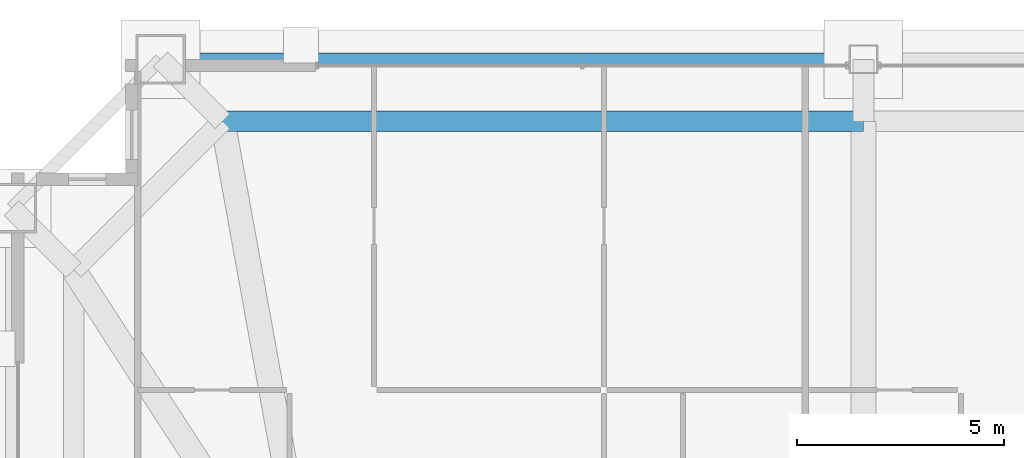
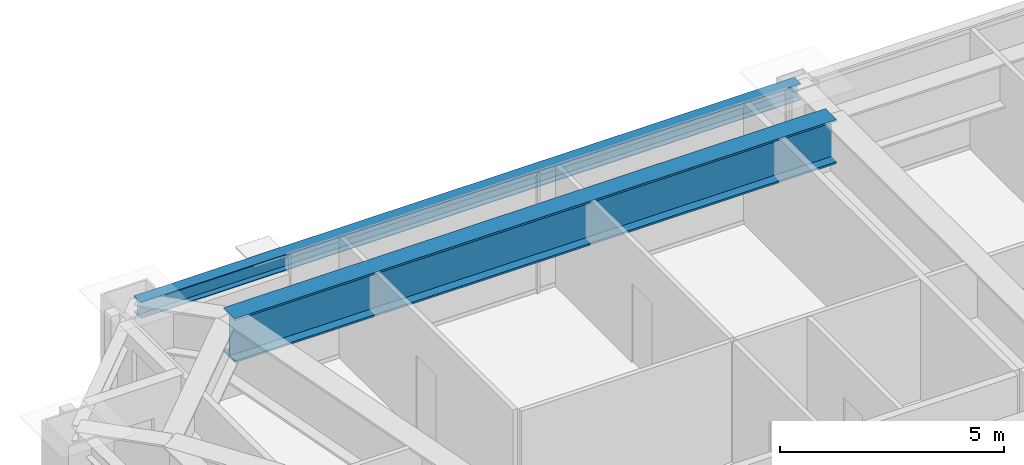
# One storey, part 22 of 33: 2 beams.
"""IFC4 building model written with IfcOpenShell, lengths in metres."""

from ifc_helpers import new_model, si_unit, direction, frame, origin, origin_2d, place, context, subcontext, project, spatial, i_section, extrude, source, transform, mapped, material, material_profile, profile_set, type_object, element, save


model = new_model("IFC4")

# Units and contexts
model_context = context("Model", 3, precision=1e-05, world=origin(), true_north=direction((0.0, 1.0)))
body_context = subcontext(model_context, "Body", "Model", "MODEL_VIEW")
ifc_project = project(units=[si_unit("LENGTHUNIT", "METRE"), si_unit("AREAUNIT", "SQUARE_METRE"), si_unit("VOLUMEUNIT", "CUBIC_METRE"), si_unit("PLANEANGLEUNIT", "RADIAN"), si_unit("MASSUNIT", "GRAM", prefix="KILO"), si_unit("THERMODYNAMICTEMPERATUREUNIT", "KELVIN"), si_unit("POWERUNIT", "WATT")], contexts=[model_context])

# Site, building, storey
site_placement = place(None, origin())
site = spatial("IfcSite", under=ifc_project, at=site_placement, CompositionType="ELEMENT")
building_placement = place(site_placement, origin())
building = spatial("IfcBuilding", under=site, at=building_placement, Name="Yuzanri Waterfront Tower", CompositionType="ELEMENT")
storey_placement = place(building_placement, frame((0.0, 0.0, 282.10009765625)))
storey = spatial("IfcBuildingStorey", under=building, at=storey_placement, Name="L75", CompositionType="ELEMENT", Elevation=282.10009765625)

# Beams
ifc_material_1 = material(Name="Steel Q355B", Category="steel")
ifc_material_profile_1 = material_profile(ifc_material_1, i_section(OverallWidth=0.300048828125, OverallDepth=0.43994140625, WebThickness=0.010986328125, FlangeThickness=0.01806640625, at=origin_2d()), Name="HM 440x300x11x18")
ifc_profile_set_1 = profile_set([ifc_material_profile_1], Name="Steel Q355B")
beam_type_1 = type_object("IfcBeamType", Name="Perimeter Spandrel Q355B HM 440x300", PredefinedType="SPANDREL", material=ifc_profile_set_1)
shared_shape_1 = source(origin(), body_context, "Body", "SweptSolid", [
    extrude(i_section(OverallWidth=0.300048828125, OverallDepth=0.43994140625, WebThickness=0.010986328125, FlangeThickness=0.01806640625, at=origin_2d()), origin(), (0.0, 0.0, 1.0), 17.0),
])
beam_1_placement = place(storey_placement, frame((37.0, 46.39990234375, 3.059814453125), z_axis=(-1.0, 0.0, 0.0), x_axis=(0.0, -1.0, 0.0)))
element("IfcBeam", 1, at=beam_1_placement, inside=storey, type_object=beam_type_1, Name="L75 Perimeter Spandrel N2-N1", PredefinedType="SPANDREL", context=body_context, shape_type="MappedRepresentation", body=[
    mapped(shared_shape_1, transform((0.0, 0.0, 0.0), scale=1.0)),
])
ifc_material_2 = material(Name="Steel Q420GJC", Category="steel")
ifc_material_profile_2 = material_profile(ifc_material_2, i_section(OverallWidth=0.5, OverallDepth=1.199951171875, WebThickness=0.028076171875, FlangeThickness=0.050048828125, at=origin_2d()), Name="PG 1200x500x28x50")
ifc_profile_set_2 = profile_set([ifc_material_profile_2], Name="Steel Q420GJC")
beam_type_2 = type_object("IfcBeamType", Name="Setback Transfer Girder Q420GJC PG 1200x500", PredefinedType="USERDEFINED", material=ifc_profile_set_2)
shared_shape_2 = source(origin(), body_context, "Body", "SweptSolid", [
    extrude(i_section(OverallWidth=0.5, OverallDepth=1.199951171875, WebThickness=0.028076171875, FlangeThickness=0.050048828125, at=origin_2d()), origin(), (0.0, 0.0, 1.0), 15.5),
])
beam_2_placement = place(storey_placement, frame((37.0, 44.89990234375, 2.679931640625), z_axis=(-1.0, 0.0, 0.0), x_axis=(0.0, -1.0, 0.0)))
element("IfcBeam", 2, at=beam_2_placement, inside=storey, type_object=beam_type_2, Name="L75 Setback Upper Ring N2-N1", ObjectType="GIRDER", PredefinedType="USERDEFINED", context=body_context, shape_type="MappedRepresentation", body=[
    mapped(shared_shape_2, transform((0.0, 0.0, 0.0), scale=1.0)),
])

save(model, "model.ifc")
